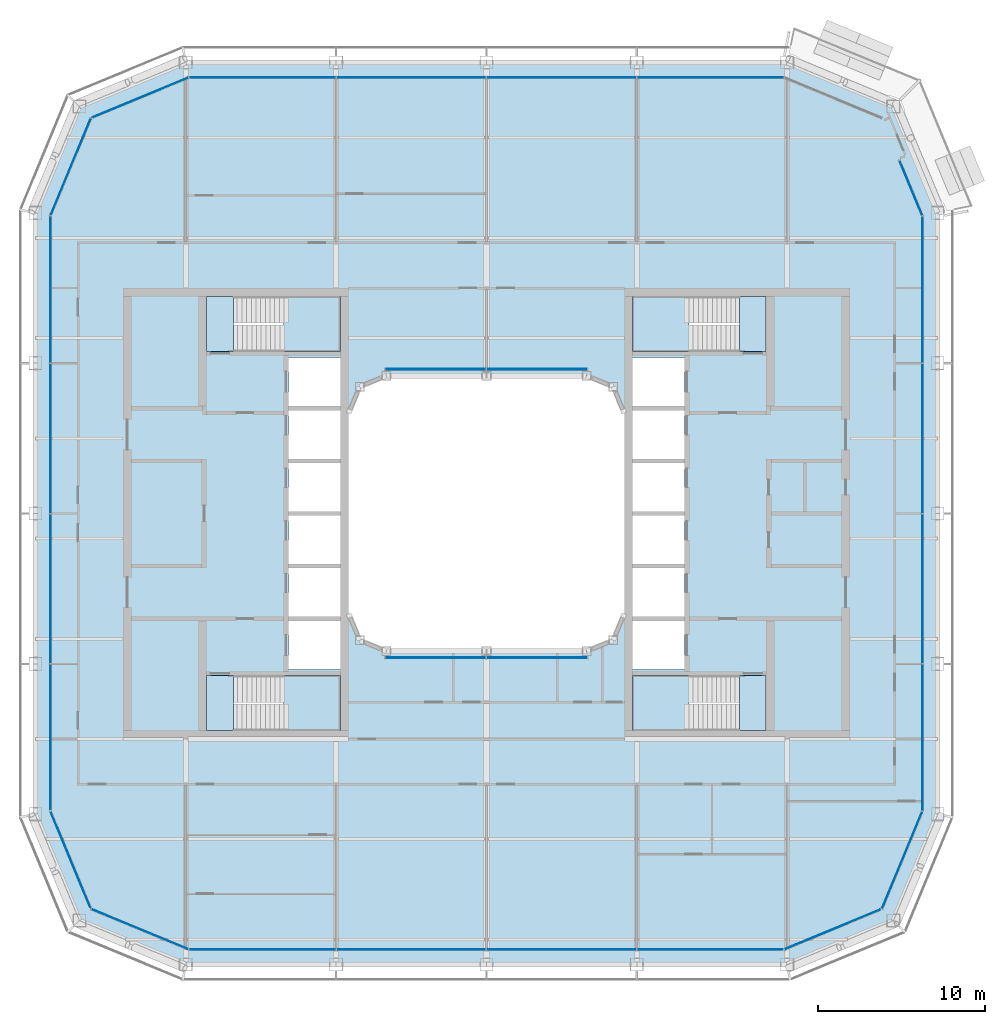
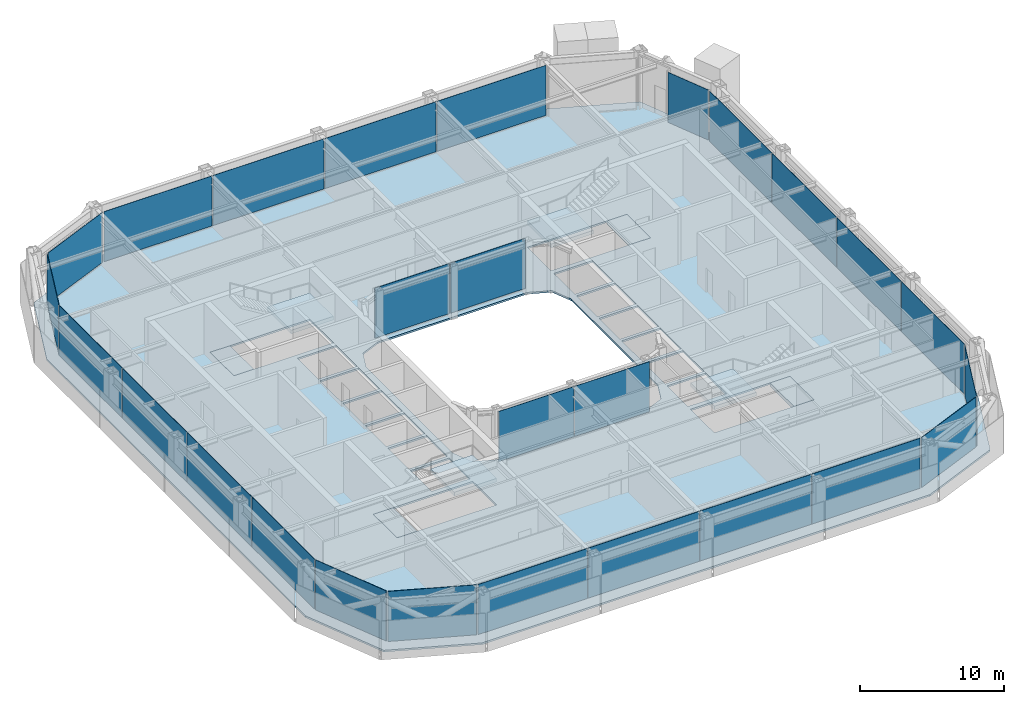
# One storey, part 11 of 23: 27 plates, 9 slabs, 17 elements without a shape of their own.
"""IFC4 building model written with IfcOpenShell, lengths in metres."""

from ifc_helpers import new_model, si_unit, direction, frame, origin, origin_2d, place, context, subcontext, project, spatial, polyline, rectangle, outline, extrude, material, layer, layer_set, type_object, element, aggregate, save


model = new_model("IFC4")

# Units and contexts
model_context = context("Model", 3, precision=1e-05, world=origin(), true_north=direction((0.0, 1.0)))
body_context = subcontext(model_context, "Body", "Model", "MODEL_VIEW")
ifc_project = project(units=[si_unit("LENGTHUNIT", "METRE"), si_unit("AREAUNIT", "SQUARE_METRE"), si_unit("VOLUMEUNIT", "CUBIC_METRE"), si_unit("PLANEANGLEUNIT", "RADIAN"), si_unit("MASSUNIT", "GRAM", prefix="KILO")], contexts=[model_context])

# Site, building, storey
site_placement = place(None, origin())
site = spatial("IfcSite", under=ifc_project, at=site_placement, CompositionType="ELEMENT")
building_placement = place(site_placement, origin())
building = spatial("IfcBuilding", under=site, at=building_placement, Name="Siwar Civic Tower", CompositionType="ELEMENT")
storey_placement = place(building_placement, frame((0.0, 0.0, 260.199951171875)))
storey = spatial("IfcBuildingStorey", under=building, at=storey_placement, Name="L56", CompositionType="ELEMENT", Elevation=260.199951171875)

# Stair, slabs
ifc_material_1 = material(Name="Concrete C40/50", Category="concrete")
stair_type = type_object("IfcStairType", Name="CORE-STAIR", PredefinedType="TWO_STRAIGHT_RUN_STAIR", material=ifc_material_1)
stair_1_placement = place(storey_placement, origin())
stair_1 = element("IfcStair", 1, at=stair_1_placement, inside=storey, type_object=stair_type, Name="Exit stair ST1", PredefinedType="TWO_STRAIGHT_RUN_STAIR")
ifc_material_2 = material(Name="Concrete C40/50", Category="concrete")
ifc_layer_1 = layer(ifc_material_2, 0.300048828125)
ifc_layer_set_1 = layer_set([ifc_layer_1], Name="Concrete C40/50")
slab_type_1 = type_object("IfcSlabType", Name="CORE-STAIR-LANDING", PredefinedType="LANDING", material=ifc_layer_set_1)
slab_1_placement = place(storey_placement, frame((0.0, 0.0, -0.300048828125)))
slab_1 = element("IfcSlab", 2, at=slab_1_placement, type_object=slab_type_1, Name="ST1 landing 1", PredefinedType="LANDING", context=body_context, shape_type="SweptSolid", body=[
    extrude(outline(polyline([(-15.14990234375, 13.0), (-16.75, 13.0), (-16.75, 9.699951171875), (-15.14990234375, 9.699951171875), (-15.14990234375, 13.0)])), origin(), (0.0, 0.0, 1.0), 0.300048828125),
])
slab_2_placement = place(storey_placement, frame((0.0, 0.0, 1.949951171875)))
slab_2 = element("IfcSlab", 3, at=slab_2_placement, type_object=slab_type_1, Name="ST1 landing 2", PredefinedType="LANDING", context=body_context, shape_type="SweptSolid", body=[
    extrude(outline(polyline([(-8.75, 13.0), (-12.139892578125, 13.0), (-12.139892578125, 9.699951171875), (-8.75, 9.699951171875), (-8.75, 13.0)])), origin(), (0.0, 0.0, 1.0), 0.300048828125),
])
aggregate(stair_1, [slab_1, slab_2])

stair_2_placement = place(storey_placement, origin())
stair_2 = element("IfcStair", 4, at=stair_2_placement, inside=storey, type_object=stair_type, Name="Exit stair ST2", PredefinedType="TWO_STRAIGHT_RUN_STAIR")
slab_3_placement = place(storey_placement, frame((0.0, 0.0, -0.300048828125)))
slab_3 = element("IfcSlab", 5, at=slab_3_placement, type_object=slab_type_1, Name="ST2 landing 1", PredefinedType="LANDING", context=body_context, shape_type="SweptSolid", body=[
    extrude(outline(polyline([(-15.14990234375, -9.699951171875), (-16.75, -9.699951171875), (-16.75, -13.0), (-15.14990234375, -13.0), (-15.14990234375, -9.699951171875)])), origin(), (0.0, 0.0, 1.0), 0.300048828125),
])
slab_4_placement = place(storey_placement, frame((0.0, 0.0, 1.949951171875)))
slab_4 = element("IfcSlab", 6, at=slab_4_placement, type_object=slab_type_1, Name="ST2 landing 2", PredefinedType="LANDING", context=body_context, shape_type="SweptSolid", body=[
    extrude(outline(polyline([(-8.75, -9.699951171875), (-12.139892578125, -9.699951171875), (-12.139892578125, -13.0), (-8.75, -13.0), (-8.75, -9.699951171875)])), origin(), (0.0, 0.0, 1.0), 0.300048828125),
])
aggregate(stair_2, [slab_3, slab_4])

stair_3_placement = place(storey_placement, origin())
stair_3 = element("IfcStair", 7, at=stair_3_placement, inside=storey, type_object=stair_type, Name="Exit stair ST3", PredefinedType="TWO_STRAIGHT_RUN_STAIR")
slab_5_placement = place(storey_placement, frame((0.0, 0.0, -0.300048828125)))
slab_5 = element("IfcSlab", 8, at=slab_5_placement, type_object=slab_type_1, Name="ST3 landing 1", PredefinedType="LANDING", context=body_context, shape_type="SweptSolid", body=[
    extrude(outline(polyline([(15.14990234375, 9.699951171875), (16.75, 9.699951171875), (16.75, 13.0), (15.14990234375, 13.0), (15.14990234375, 9.699951171875)])), origin(), (0.0, 0.0, 1.0), 0.300048828125),
])
slab_6_placement = place(storey_placement, frame((0.0, 0.0, 1.949951171875)))
slab_6 = element("IfcSlab", 9, at=slab_6_placement, type_object=slab_type_1, Name="ST3 landing 2", PredefinedType="LANDING", context=body_context, shape_type="SweptSolid", body=[
    extrude(outline(polyline([(8.75, 9.699951171875), (12.139892578125, 9.699951171875), (12.139892578125, 13.0), (8.75, 13.0), (8.75, 9.699951171875)])), origin(), (0.0, 0.0, 1.0), 0.300048828125),
])
aggregate(stair_3, [slab_5, slab_6])

stair_4_placement = place(storey_placement, origin())
stair_4 = element("IfcStair", 10, at=stair_4_placement, inside=storey, type_object=stair_type, Name="Exit stair ST4", PredefinedType="TWO_STRAIGHT_RUN_STAIR")
slab_7_placement = place(storey_placement, frame((0.0, 0.0, -0.300048828125)))
slab_7 = element("IfcSlab", 11, at=slab_7_placement, type_object=slab_type_1, Name="ST4 landing 1", PredefinedType="LANDING", context=body_context, shape_type="SweptSolid", body=[
    extrude(outline(polyline([(15.14990234375, -13.0), (16.75, -13.0), (16.75, -9.699951171875), (15.14990234375, -9.699951171875), (15.14990234375, -13.0)])), origin(), (0.0, 0.0, 1.0), 0.300048828125),
])
slab_8_placement = place(storey_placement, frame((0.0, 0.0, 1.949951171875)))
slab_8 = element("IfcSlab", 12, at=slab_8_placement, type_object=slab_type_1, Name="ST4 landing 2", PredefinedType="LANDING", context=body_context, shape_type="SweptSolid", body=[
    extrude(outline(polyline([(8.75, -13.0), (12.139892578125, -13.0), (12.139892578125, -9.699951171875), (8.75, -9.699951171875), (8.75, -13.0)])), origin(), (0.0, 0.0, 1.0), 0.300048828125),
])
aggregate(stair_4, [slab_7, slab_8])

# Curtain wall, plates
ifc_material_3 = material(Name="Aluminium and glass", Category="aluminium")
ifc_layer_2 = layer(ifc_material_3, 0.179931640625)
ifc_layer_set_2 = layer_set([ifc_layer_2], Name="Aluminium and glass")
curtain_wall_type_1 = type_object("IfcCurtainWallType", Name="ENV-CW-C", PredefinedType="NOTDEFINED", material=ifc_layer_set_2)
curtain_wall_1_placement = place(storey_placement, origin())
curtain_wall_1 = element("IfcCurtainWall", 13, at=curtain_wall_1_placement, inside=storey, type_object=curtain_wall_type_1, Name="Curtain wall C S", PredefinedType="NOTDEFINED")
ifc_material_4 = material(Name="Glass clear laminated", Category="glass")
ifc_layer_3 = layer(ifc_material_4, 0.031982421875)
ifc_layer_set_3 = layer_set([ifc_layer_3], Name="Glass clear laminated")
plate_type_1 = type_object("IfcPlateType", Name="ENV-PANEL-C", PredefinedType="CURTAIN_PANEL", material=ifc_layer_set_3)
plate_1_placement = place(storey_placement, frame((-13.410400390625, -26.10009765625, 0.10009765625), z_axis=(0.0, 0.0, 1.0), x_axis=(1.0, 0.0, 0.0)))
plate_1 = element("IfcPlate", 14, at=plate_1_placement, type_object=plate_type_1, Name="Curtain panel C S 1", PredefinedType="CURTAIN_PANEL", context=body_context, shape_type="SweptSolid", body=[
    extrude(rectangle(XDim=8.760986328125, YDim=0.031982421875, at=origin_2d()), origin(), (0.0, 0.0, 1.0), 4.25),
])
plate_2_placement = place(storey_placement, frame((-4.5, -26.10009765625, 0.10009765625), z_axis=(0.0, 0.0, 1.0), x_axis=(1.0, 0.0, 0.0)))
plate_2 = element("IfcPlate", 15, at=plate_2_placement, type_object=plate_type_1, Name="Curtain panel C S 2", PredefinedType="CURTAIN_PANEL", context=body_context, shape_type="SweptSolid", body=[
    extrude(rectangle(XDim=8.93994140625, YDim=0.031982421875, at=origin_2d()), origin(), (0.0, 0.0, 1.0), 4.25),
])
plate_3_placement = place(storey_placement, frame((4.5, -26.10009765625, 0.10009765625), z_axis=(0.0, 0.0, 1.0), x_axis=(1.0, 0.0, 0.0)))
plate_3 = element("IfcPlate", 16, at=plate_3_placement, type_object=plate_type_1, Name="Curtain panel C S 3", PredefinedType="CURTAIN_PANEL", context=body_context, shape_type="SweptSolid", body=[
    extrude(rectangle(XDim=8.93994140625, YDim=0.031982421875, at=origin_2d()), origin(), (0.0, 0.0, 1.0), 4.25),
])
plate_4_placement = place(storey_placement, frame((13.373046875, -26.10009765625, 0.10009765625), z_axis=(0.0, 0.0, 1.0), x_axis=(1.0, 0.0, 0.0)))
plate_4 = element("IfcPlate", 17, at=plate_4_placement, type_object=plate_type_1, Name="Curtain panel C S 4", PredefinedType="CURTAIN_PANEL", context=body_context, shape_type="SweptSolid", body=[
    extrude(rectangle(XDim=8.68603515625, YDim=0.031982421875, at=origin_2d()), origin(), (0.0, 0.0, 1.0), 4.25),
])
aggregate(curtain_wall_1, [plate_1, plate_2, plate_3, plate_4])

curtain_wall_2_placement = place(storey_placement, origin())
curtain_wall_2 = element("IfcCurtainWall", 18, at=curtain_wall_2_placement, inside=storey, type_object=curtain_wall_type_1, Name="Curtain wall C E", PredefinedType="NOTDEFINED")
plate_5_placement = place(storey_placement, frame((26.10009765625, -13.410400390625, 0.10009765625), z_axis=(0.0, 0.0, 1.0), x_axis=(0.0, 1.0, 0.0)))
plate_5 = element("IfcPlate", 19, at=plate_5_placement, type_object=plate_type_1, Name="Curtain panel C E 1", PredefinedType="CURTAIN_PANEL", context=body_context, shape_type="SweptSolid", body=[
    extrude(rectangle(XDim=8.760986328125, YDim=0.031982421875, at=origin_2d()), origin(), (0.0, 0.0, 1.0), 4.25),
])
plate_6_placement = place(storey_placement, frame((26.10009765625, -4.5, 0.10009765625), z_axis=(0.0, 0.0, 1.0), x_axis=(0.0, 1.0, 0.0)))
plate_6 = element("IfcPlate", 20, at=plate_6_placement, type_object=plate_type_1, Name="Curtain panel C E 2", PredefinedType="CURTAIN_PANEL", context=body_context, shape_type="SweptSolid", body=[
    extrude(rectangle(XDim=8.93994140625, YDim=0.031982421875, at=origin_2d()), origin(), (0.0, 0.0, 1.0), 4.25),
])
plate_7_placement = place(storey_placement, frame((26.10009765625, 4.5, 0.10009765625), z_axis=(0.0, 0.0, 1.0), x_axis=(0.0, 1.0, 0.0)))
plate_7 = element("IfcPlate", 21, at=plate_7_placement, type_object=plate_type_1, Name="Curtain panel C E 3", PredefinedType="CURTAIN_PANEL", context=body_context, shape_type="SweptSolid", body=[
    extrude(rectangle(XDim=8.93994140625, YDim=0.031982421875, at=origin_2d()), origin(), (0.0, 0.0, 1.0), 4.25),
])
plate_8_placement = place(storey_placement, frame((26.10009765625, 13.373046875, 0.10009765625), z_axis=(0.0, 0.0, 1.0), x_axis=(0.0, 1.0, 0.0)))
plate_8 = element("IfcPlate", 22, at=plate_8_placement, type_object=plate_type_1, Name="Curtain panel C E 4", PredefinedType="CURTAIN_PANEL", context=body_context, shape_type="SweptSolid", body=[
    extrude(rectangle(XDim=8.68603515625, YDim=0.031982421875, at=origin_2d()), origin(), (0.0, 0.0, 1.0), 4.25),
])
aggregate(curtain_wall_2, [plate_5, plate_6, plate_7, plate_8])

curtain_wall_3_placement = place(storey_placement, origin())
curtain_wall_3 = element("IfcCurtainWall", 23, at=curtain_wall_3_placement, inside=storey, type_object=curtain_wall_type_1, Name="Curtain wall C N", PredefinedType="NOTDEFINED")
plate_9_placement = place(storey_placement, frame((13.410400390625, 26.10009765625, 0.10009765625), z_axis=(0.0, 0.0, 1.0), x_axis=(-1.0, 0.0, 0.0)))
plate_9 = element("IfcPlate", 24, at=plate_9_placement, type_object=plate_type_1, Name="Curtain panel C N 1", PredefinedType="CURTAIN_PANEL", context=body_context, shape_type="SweptSolid", body=[
    extrude(rectangle(XDim=8.760986328125, YDim=0.031982421875, at=origin_2d()), origin(), (0.0, 0.0, 1.0), 4.25),
])
plate_10_placement = place(storey_placement, frame((4.5, 26.10009765625, 0.10009765625), z_axis=(0.0, 0.0, 1.0), x_axis=(-1.0, 0.0, 0.0)))
plate_10 = element("IfcPlate", 25, at=plate_10_placement, type_object=plate_type_1, Name="Curtain panel C N 2", PredefinedType="CURTAIN_PANEL", context=body_context, shape_type="SweptSolid", body=[
    extrude(rectangle(XDim=8.93994140625, YDim=0.031982421875, at=origin_2d()), origin(), (0.0, 0.0, 1.0), 4.25),
])
plate_11_placement = place(storey_placement, frame((-4.5, 26.10009765625, 0.10009765625), z_axis=(0.0, 0.0, 1.0), x_axis=(-1.0, 0.0, 0.0)))
plate_11 = element("IfcPlate", 26, at=plate_11_placement, type_object=plate_type_1, Name="Curtain panel C N 3", PredefinedType="CURTAIN_PANEL", context=body_context, shape_type="SweptSolid", body=[
    extrude(rectangle(XDim=8.93994140625, YDim=0.031982421875, at=origin_2d()), origin(), (0.0, 0.0, 1.0), 4.25),
])
plate_12_placement = place(storey_placement, frame((-13.373046875, 26.10009765625, 0.10009765625), z_axis=(0.0, 0.0, 1.0), x_axis=(-1.0, 0.0, 0.0)))
plate_12 = element("IfcPlate", 27, at=plate_12_placement, type_object=plate_type_1, Name="Curtain panel C N 4", PredefinedType="CURTAIN_PANEL", context=body_context, shape_type="SweptSolid", body=[
    extrude(rectangle(XDim=8.68603515625, YDim=0.031982421875, at=origin_2d()), origin(), (0.0, 0.0, 1.0), 4.25),
])
aggregate(curtain_wall_3, [plate_9, plate_10, plate_11, plate_12])

curtain_wall_4_placement = place(storey_placement, origin())
curtain_wall_4 = element("IfcCurtainWall", 28, at=curtain_wall_4_placement, inside=storey, type_object=curtain_wall_type_1, Name="Curtain wall C W", PredefinedType="NOTDEFINED")
plate_13_placement = place(storey_placement, frame((-26.10009765625, 13.410400390625, 0.10009765625), z_axis=(0.0, 0.0, 1.0), x_axis=(0.0, -1.0, 0.0)))
plate_13 = element("IfcPlate", 29, at=plate_13_placement, type_object=plate_type_1, Name="Curtain panel C W 1", PredefinedType="CURTAIN_PANEL", context=body_context, shape_type="SweptSolid", body=[
    extrude(rectangle(XDim=8.760986328125, YDim=0.031982421875, at=origin_2d()), origin(), (0.0, 0.0, 1.0), 4.25),
])
plate_14_placement = place(storey_placement, frame((-26.10009765625, 4.5, 0.10009765625), z_axis=(0.0, 0.0, 1.0), x_axis=(0.0, -1.0, 0.0)))
plate_14 = element("IfcPlate", 30, at=plate_14_placement, type_object=plate_type_1, Name="Curtain panel C W 2", PredefinedType="CURTAIN_PANEL", context=body_context, shape_type="SweptSolid", body=[
    extrude(rectangle(XDim=8.93994140625, YDim=0.031982421875, at=origin_2d()), origin(), (0.0, 0.0, 1.0), 4.25),
])
plate_15_placement = place(storey_placement, frame((-26.10009765625, -4.5, 0.10009765625), z_axis=(0.0, 0.0, 1.0), x_axis=(0.0, -1.0, 0.0)))
plate_15 = element("IfcPlate", 31, at=plate_15_placement, type_object=plate_type_1, Name="Curtain panel C W 3", PredefinedType="CURTAIN_PANEL", context=body_context, shape_type="SweptSolid", body=[
    extrude(rectangle(XDim=8.93994140625, YDim=0.031982421875, at=origin_2d()), origin(), (0.0, 0.0, 1.0), 4.25),
])
plate_16_placement = place(storey_placement, frame((-26.10009765625, -13.373046875, 0.10009765625), z_axis=(0.0, 0.0, 1.0), x_axis=(0.0, -1.0, 0.0)))
plate_16 = element("IfcPlate", 32, at=plate_16_placement, type_object=plate_type_1, Name="Curtain panel C W 4", PredefinedType="CURTAIN_PANEL", context=body_context, shape_type="SweptSolid", body=[
    extrude(rectangle(XDim=8.68603515625, YDim=0.031982421875, at=origin_2d()), origin(), (0.0, 0.0, 1.0), 4.25),
])
aggregate(curtain_wall_4, [plate_13, plate_14, plate_15, plate_16])

# Curtain wall, plate
ifc_material_5 = material(Name="Aluminium clad insulated panel", Category="aluminium")
ifc_layer_4 = layer(ifc_material_5, 0.179931640625)
ifc_layer_set_4 = layer_set([ifc_layer_4], Name="Aluminium clad insulated panel")
curtain_wall_type_2 = type_object("IfcCurtainWallType", Name="ENV-CW-CX", PredefinedType="NOTDEFINED", material=ifc_layer_set_4)
curtain_wall_5_placement = place(storey_placement, origin())
curtain_wall_5 = element("IfcCurtainWall", 33, at=curtain_wall_5_placement, inside=storey, type_object=curtain_wall_type_2, Name="Curtain wall C SE1", PredefinedType="NOTDEFINED")
ifc_material_6 = material(Name="Aluminium clad insulated panel", Category="aluminium")
ifc_layer_5 = layer(ifc_material_6, 0.031982421875)
ifc_layer_set_5 = layer_set([ifc_layer_5], Name="Aluminium clad insulated panel")
plate_type_2 = type_object("IfcPlateType", Name="ENV-PANEL-CX", PredefinedType="CURTAIN_PANEL", material=ifc_layer_set_5)
plate_17_placement = place(storey_placement, frame((20.71337890625, -24.90185546875, 0.10009765625), z_axis=(0.0, 0.0, 1.0), x_axis=(0.923879532511, 0.382683432365, 0.0)))
plate_17 = element("IfcPlate", 34, at=plate_17_placement, type_object=plate_type_2, Name="Curtain panel C SE1 1", PredefinedType="CURTAIN_PANEL", context=body_context, shape_type="SweptSolid", body=[
    extrude(rectangle(XDim=6.20166015625, YDim=0.031982421875, at=origin_2d()), origin(), (0.0, 0.0, 1.0), 4.25),
])
aggregate(curtain_wall_5, [plate_17])

curtain_wall_6_placement = place(storey_placement, origin())
curtain_wall_6 = element("IfcCurtainWall", 35, at=curtain_wall_6_placement, inside=storey, type_object=curtain_wall_type_2, Name="Curtain wall C SE2", PredefinedType="NOTDEFINED")
plate_18_placement = place(storey_placement, frame((24.873291015625, -20.78271484375, 0.10009765625), z_axis=(0.0, 0.0, 1.0), x_axis=(0.382683432365, 0.923879532511, 0.0)))
plate_18 = element("IfcPlate", 36, at=plate_18_placement, type_object=plate_type_2, Name="Curtain panel C SE2 1", PredefinedType="CURTAIN_PANEL", context=body_context, shape_type="SweptSolid", body=[
    extrude(rectangle(XDim=6.20166015625, YDim=0.031982421875, at=origin_2d()), origin(), (0.0, 0.0, 1.0), 4.25),
])
aggregate(curtain_wall_6, [plate_18])

curtain_wall_7_placement = place(storey_placement, origin())
curtain_wall_7 = element("IfcCurtainWall", 37, at=curtain_wall_7_placement, inside=storey, type_object=curtain_wall_type_2, Name="Curtain wall C NE1", PredefinedType="NOTDEFINED")
plate_19_placement = place(storey_placement, frame((25.40966796875, 19.4873046875, 0.10009765625), z_axis=(0.0, 0.0, 1.0), x_axis=(-0.382683432365, 0.923879532511, 0.0)))
plate_19 = element("IfcPlate", 38, at=plate_19_placement, type_object=plate_type_2, Name="Curtain panel C NE1 1", PredefinedType="CURTAIN_PANEL", context=body_context, shape_type="SweptSolid", body=[
    extrude(rectangle(XDim=3.54736328125, YDim=0.031982421875, at=origin_2d()), origin(), (0.0, 0.0, 1.0), 4.25),
])
aggregate(curtain_wall_7, [plate_19])

curtain_wall_8_placement = place(storey_placement, origin())
curtain_wall_8 = element("IfcCurtainWall", 39, at=curtain_wall_8_placement, inside=storey, type_object=curtain_wall_type_2, Name="Curtain wall C NW1", PredefinedType="NOTDEFINED")
plate_20_placement = place(storey_placement, frame((-20.71337890625, 24.90185546875, 0.10009765625), z_axis=(0.0, 0.0, 1.0), x_axis=(-0.923879532511, -0.382683432365, 0.0)))
plate_20 = element("IfcPlate", 40, at=plate_20_placement, type_object=plate_type_2, Name="Curtain panel C NW1 1", PredefinedType="CURTAIN_PANEL", context=body_context, shape_type="SweptSolid", body=[
    extrude(rectangle(XDim=6.20166015625, YDim=0.031982421875, at=origin_2d()), origin(), (0.0, 0.0, 1.0), 4.25),
])
aggregate(curtain_wall_8, [plate_20])

curtain_wall_9_placement = place(storey_placement, origin())
curtain_wall_9 = element("IfcCurtainWall", 41, at=curtain_wall_9_placement, inside=storey, type_object=curtain_wall_type_2, Name="Curtain wall C NW2", PredefinedType="NOTDEFINED")
plate_21_placement = place(storey_placement, frame((-24.873291015625, 20.78271484375, 0.10009765625), z_axis=(0.0, 0.0, 1.0), x_axis=(-0.382683432365, -0.923879532511, 0.0)))
plate_21 = element("IfcPlate", 42, at=plate_21_placement, type_object=plate_type_2, Name="Curtain panel C NW2 1", PredefinedType="CURTAIN_PANEL", context=body_context, shape_type="SweptSolid", body=[
    extrude(rectangle(XDim=6.20166015625, YDim=0.031982421875, at=origin_2d()), origin(), (0.0, 0.0, 1.0), 4.25),
])
aggregate(curtain_wall_9, [plate_21])

curtain_wall_10_placement = place(storey_placement, origin())
curtain_wall_10 = element("IfcCurtainWall", 43, at=curtain_wall_10_placement, inside=storey, type_object=curtain_wall_type_2, Name="Curtain wall C SW1", PredefinedType="NOTDEFINED")
plate_22_placement = place(storey_placement, frame((-24.90185546875, -20.71337890625, 0.10009765625), z_axis=(0.0, 0.0, 1.0), x_axis=(0.382683432365, -0.923879532511, 0.0)))
plate_22 = element("IfcPlate", 44, at=plate_22_placement, type_object=plate_type_2, Name="Curtain panel C SW1 1", PredefinedType="CURTAIN_PANEL", context=body_context, shape_type="SweptSolid", body=[
    extrude(rectangle(XDim=6.20166015625, YDim=0.031982421875, at=origin_2d()), origin(), (0.0, 0.0, 1.0), 4.25),
])
aggregate(curtain_wall_10, [plate_22])

curtain_wall_11_placement = place(storey_placement, origin())
curtain_wall_11 = element("IfcCurtainWall", 45, at=curtain_wall_11_placement, inside=storey, type_object=curtain_wall_type_2, Name="Curtain wall C SW2", PredefinedType="NOTDEFINED")
plate_23_placement = place(storey_placement, frame((-20.78271484375, -24.873291015625, 0.10009765625), z_axis=(0.0, 0.0, 1.0), x_axis=(0.923879532511, -0.382683432365, 0.0)))
plate_23 = element("IfcPlate", 46, at=plate_23_placement, type_object=plate_type_2, Name="Curtain panel C SW2 1", PredefinedType="CURTAIN_PANEL", context=body_context, shape_type="SweptSolid", body=[
    extrude(rectangle(XDim=6.20166015625, YDim=0.031982421875, at=origin_2d()), origin(), (0.0, 0.0, 1.0), 4.25),
])
aggregate(curtain_wall_11, [plate_23])

# Curtain wall, plates
ifc_material_7 = material(Name="Aluminium and glass", Category="aluminium")
ifc_layer_6 = layer(ifc_material_7, 0.179931640625)
ifc_layer_set_6 = layer_set([ifc_layer_6], Name="Aluminium and glass")
curtain_wall_type_3 = type_object("IfcCurtainWallType", Name="ENV-CW-W", PredefinedType="NOTDEFINED", material=ifc_layer_set_6)
curtain_wall_12_placement = place(storey_placement, origin())
curtain_wall_12 = element("IfcCurtainWall", 47, at=curtain_wall_12_placement, inside=storey, type_object=curtain_wall_type_3, Name="Curtain wall W WS", PredefinedType="NOTDEFINED")
ifc_material_8 = material(Name="Glass clear laminated", Category="glass")
ifc_layer_7 = layer(ifc_material_8, 0.031982421875)
ifc_layer_set_7 = layer_set([ifc_layer_7], Name="Glass clear laminated")
plate_type_3 = type_object("IfcPlateType", Name="ENV-PANEL-W", PredefinedType="CURTAIN_PANEL", material=ifc_layer_set_7)
plate_24_placement = place(storey_placement, frame((-3.038330078125, -8.635009765625, 0.10009765625), z_axis=(0.0, 0.0, 1.0), x_axis=(1.0, 0.0, 0.0)))
plate_24 = element("IfcPlate", 48, at=plate_24_placement, type_object=plate_type_3, Name="Curtain panel W WS 1", PredefinedType="CURTAIN_PANEL", context=body_context, shape_type="SweptSolid", body=[
    extrude(rectangle(XDim=6.0166015625, YDim=0.031982421875, at=origin_2d()), origin(), (0.0, 0.0, 1.0), 4.25),
])
plate_25_placement = place(storey_placement, frame((3.038330078125, -8.635009765625, 0.10009765625), z_axis=(0.0, 0.0, 1.0), x_axis=(1.0, 0.0, 0.0)))
plate_25 = element("IfcPlate", 49, at=plate_25_placement, type_object=plate_type_3, Name="Curtain panel W WS 2", PredefinedType="CURTAIN_PANEL", context=body_context, shape_type="SweptSolid", body=[
    extrude(rectangle(XDim=6.0166015625, YDim=0.031982421875, at=origin_2d()), origin(), (0.0, 0.0, 1.0), 4.25),
])
aggregate(curtain_wall_12, [plate_24, plate_25])

curtain_wall_13_placement = place(storey_placement, origin())
curtain_wall_13 = element("IfcCurtainWall", 50, at=curtain_wall_13_placement, inside=storey, type_object=curtain_wall_type_3, Name="Curtain wall W WN", PredefinedType="NOTDEFINED")
plate_26_placement = place(storey_placement, frame((3.038330078125, 8.635009765625, 0.10009765625), z_axis=(0.0, 0.0, 1.0), x_axis=(-1.0, 0.0, 0.0)))
plate_26 = element("IfcPlate", 51, at=plate_26_placement, type_object=plate_type_3, Name="Curtain panel W WN 1", PredefinedType="CURTAIN_PANEL", context=body_context, shape_type="SweptSolid", body=[
    extrude(rectangle(XDim=6.0166015625, YDim=0.031982421875, at=origin_2d()), origin(), (0.0, 0.0, 1.0), 4.25),
])
plate_27_placement = place(storey_placement, frame((-3.038330078125, 8.635009765625, 0.10009765625), z_axis=(0.0, 0.0, 1.0), x_axis=(-1.0, 0.0, 0.0)))
plate_27 = element("IfcPlate", 52, at=plate_27_placement, type_object=plate_type_3, Name="Curtain panel W WN 2", PredefinedType="CURTAIN_PANEL", context=body_context, shape_type="SweptSolid", body=[
    extrude(rectangle(XDim=6.0166015625, YDim=0.031982421875, at=origin_2d()), origin(), (0.0, 0.0, 1.0), 4.25),
])
aggregate(curtain_wall_13, [plate_26, plate_27])

# Slab
ifc_material_9 = material(Name="Concrete C40/50", Category="concrete")
ifc_layer_8 = layer(ifc_material_9, 0.14990234375)
ifc_layer_set_8 = layer_set([ifc_layer_8], Name="Concrete C40/50")
slab_type_2 = type_object("IfcSlabType", Name="STR-FLOOR-DECK-150", PredefinedType="FLOOR", material=ifc_layer_set_8)
slab_9_placement = place(storey_placement, frame((0.0, 0.0, -0.14990234375)))
element("IfcSlab", 53, at=slab_9_placement, inside=storey, type_object=slab_type_2, Name="L56/slab/1", PredefinedType="FLOOR", context=body_context, shape_type="SweptSolid", body=[
    extrude(outline(polyline([(-18.0, -27.0), (18.0, -27.0), (24.364013671875, -24.364013671875), (27.0, -18.0), (27.0, 18.0), (24.364013671875, 24.364013671875), (18.0, 27.0), (-18.0, 27.0), (-24.364013671875, 24.364013671875), (-27.0, 18.0), (-27.0, -18.0), (-24.364013671875, -24.364013671875), (-18.0, -27.0)]), holes=[polyline([(16.75, 13.0), (16.75, 9.699951171875), (8.75, 9.699951171875), (8.75, 13.0), (16.75, 13.0)]), polyline([(8.75, -9.699951171875), (16.75, -9.699951171875), (16.75, -13.0), (8.75, -13.0), (8.75, -9.699951171875)]), polyline([(11.85009765625, 9.324951171875), (11.85009765625, 6.425048828125), (8.75, 6.425048828125), (8.75, 9.324951171875), (11.85009765625, 9.324951171875)]), polyline([(8.75, 6.175048828125), (11.85009765625, 6.175048828125), (11.85009765625, 3.27490234375), (8.75, 3.27490234375), (8.75, 6.175048828125)]), polyline([(8.75, 3.02490234375), (11.85009765625, 3.02490234375), (11.85009765625, 0.125), (8.75, 0.125), (8.75, 3.02490234375)]), polyline([(8.75, -0.125), (11.85009765625, -0.125), (11.85009765625, -3.02490234375), (8.75, -3.02490234375), (8.75, -0.125)]), polyline([(8.75, -3.27490234375), (11.85009765625, -3.27490234375), (11.85009765625, -6.175048828125), (8.75, -6.175048828125), (8.75, -3.27490234375)]), polyline([(8.75, -6.425048828125), (11.85009765625, -6.425048828125), (11.85009765625, -9.324951171875), (8.75, -9.324951171875), (8.75, -6.425048828125)]), polyline([(-6.0, 8.25), (6.0, 8.25), (7.591064453125, 7.591064453125), (8.25, 6.0), (8.25, -6.0), (7.591064453125, -7.591064453125), (6.0, -8.25), (-6.0, -8.25), (-7.591064453125, -7.591064453125), (-8.25, -6.0), (-8.25, 6.0), (-7.591064453125, 7.591064453125), (-6.0, 8.25)]), polyline([(-8.75, -13.0), (-16.75, -13.0), (-16.75, -9.699951171875), (-8.75, -9.699951171875), (-8.75, -13.0)]), polyline([(-8.75, 9.699951171875), (-16.75, 9.699951171875), (-16.75, 13.0), (-8.75, 13.0), (-8.75, 9.699951171875)]), polyline([(-8.75, 6.425048828125), (-11.85009765625, 6.425048828125), (-11.85009765625, 9.324951171875), (-8.75, 9.324951171875), (-8.75, 6.425048828125)]), polyline([(-8.75, 3.27490234375), (-11.85009765625, 3.27490234375), (-11.85009765625, 6.175048828125), (-8.75, 6.175048828125), (-8.75, 3.27490234375)]), polyline([(-8.75, 0.125), (-11.85009765625, 0.125), (-11.85009765625, 3.02490234375), (-8.75, 3.02490234375), (-8.75, 0.125)]), polyline([(-8.75, -3.02490234375), (-11.85009765625, -3.02490234375), (-11.85009765625, -0.125), (-8.75, -0.125), (-8.75, -3.02490234375)]), polyline([(-8.75, -6.175048828125), (-11.85009765625, -6.175048828125), (-11.85009765625, -3.27490234375), (-8.75, -3.27490234375), (-8.75, -6.175048828125)]), polyline([(-8.75, -9.324951171875), (-11.85009765625, -9.324951171875), (-11.85009765625, -6.425048828125), (-8.75, -6.425048828125), (-8.75, -9.324951171875)])]), origin(), (0.0, 0.0, 1.0), 0.14990234375),
])

save(model, "model.ifc")
